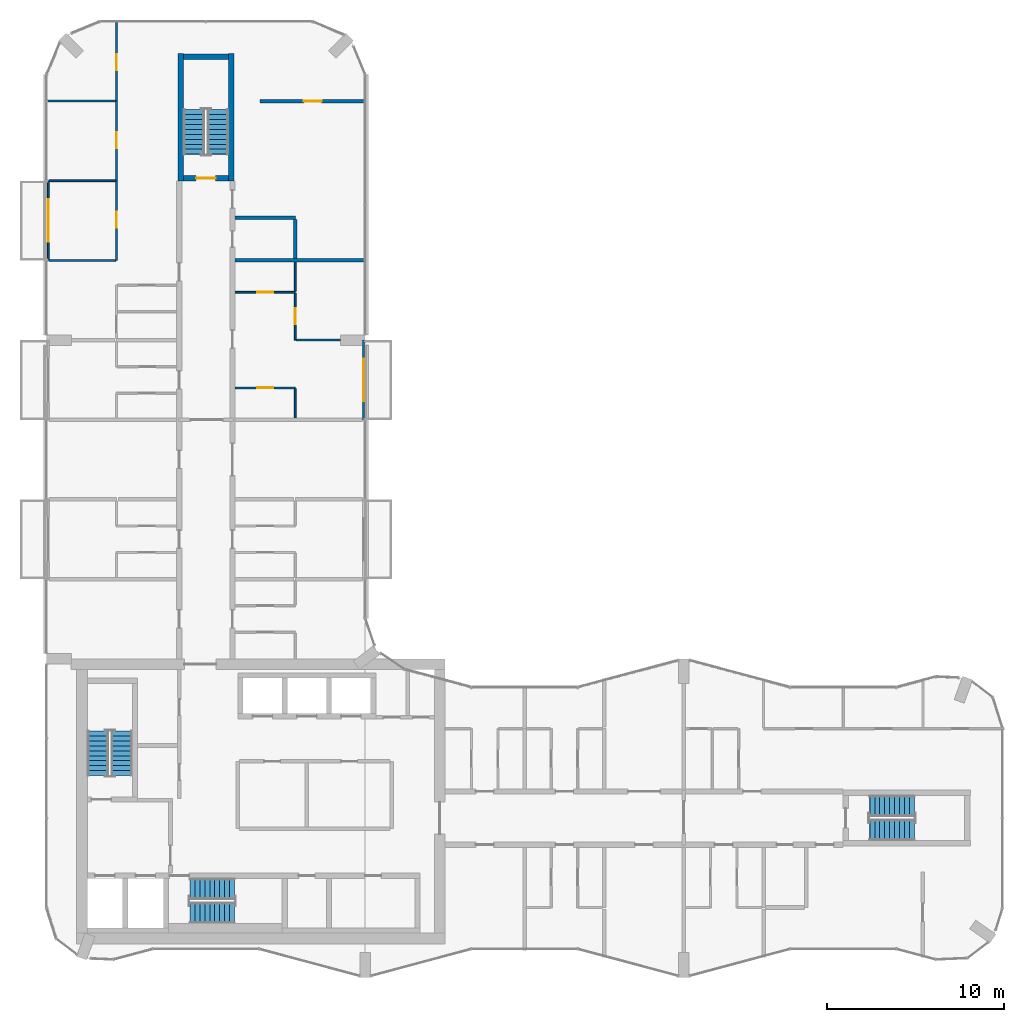
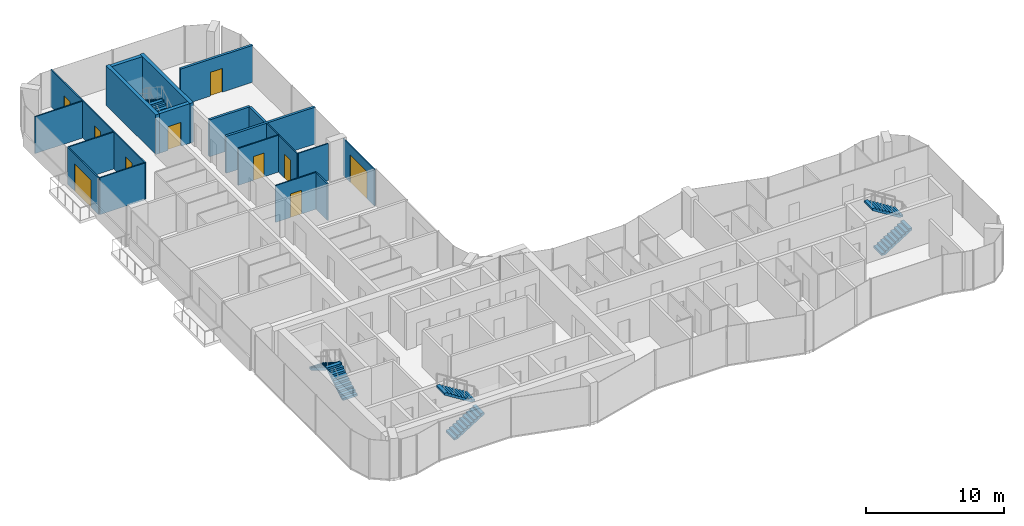
# One storey, part 13 of 16: 20 walls, 10 doors, 8 stair flights, 10 openings, 4 elements without a shape of their own.
"""IFC4 building model written with IfcOpenShell, lengths in metres."""

from ifc_helpers import new_model, si_unit, direction, frame, frame_2d, origin, place, context, subcontext, project, spatial, polyline, rectangle, outline, extrude, material, layer, layer_set, type_object, element, fill, aggregate, save


model = new_model("IFC4")

# Units and contexts
model_context = context("Model", 3, precision=1e-05, world=origin(), true_north=direction((0.0, 1.0)))
body_context = subcontext(model_context, "Body", "Model", "MODEL_VIEW")
ifc_project = project(units=[si_unit("LENGTHUNIT", "METRE"), si_unit("AREAUNIT", "SQUARE_METRE"), si_unit("VOLUMEUNIT", "CUBIC_METRE"), si_unit("PLANEANGLEUNIT", "RADIAN"), si_unit("MASSUNIT", "GRAM", prefix="KILO")], contexts=[model_context])

# Site, building, storey
site_placement = place(None, origin())
site = spatial("IfcSite", under=ifc_project, at=site_placement, CompositionType="ELEMENT")
building_placement = place(site_placement, origin())
building = spatial("IfcBuilding", under=site, at=building_placement, Name="Plateau Cross Towers", CompositionType="ELEMENT")
storey_placement = place(building_placement, frame((0.0, 0.0, 163.89990234375)))
storey = spatial("IfcBuildingStorey", under=building, at=storey_placement, Name="L42", CompositionType="ELEMENT", Elevation=163.89990234375)

# Wall, opening, door
ifc_material_1 = material(Name="Aluminium framed glazing", Category="aluminium")
ifc_layer_1 = layer(ifc_material_1, 0.10009765625)
ifc_layer_set_1 = layer_set([ifc_layer_1], Name="Aluminium framed glazing")
wall_type_1 = type_object("IfcWallType", Name="Balcony screen wall 100", PredefinedType="STANDARD", material=ifc_layer_set_1)
wall_1_placement = place(storey_placement, frame((0.10009765625, 40.5, 0.0), z_axis=(0.0, 0.0, 1.0), x_axis=(0.0, 1.0, 0.0)))
wall_1 = element("IfcWall", 1, at=wall_1_placement, inside=storey, type_object=wall_type_1, Name="Balcony screen wall A-BAL-L42-03", PredefinedType="STANDARD", context=body_context, shape_type="SweptSolid", body=[
    extrude(rectangle(XDim=4.5, YDim=0.10009765625, at=frame_2d((2.25, 0.0))), origin(), (0.0, 0.0, 1.0), 3.25),
])
opening_1_placement = place(wall_1_placement, frame((1.050048828125, 0.0, 0.0)))
opening_1 = element("IfcOpeningElement", 2, at=opening_1_placement, cuts=wall_1, Name="Opening D-B24", PredefinedType="OPENING", context=body_context, shape_type="SweptSolid", body=[
    extrude(rectangle(XDim=2.39990234375, YDim=2.39990234375, at=frame_2d((1.199951171875, 1.199951171875))), frame((0.0, 0.06005859375, 0.0), z_axis=(0.0, -1.0, 0.0), x_axis=(1.0, 0.0, 0.0)), (0.0, 0.0, 1.0), 0.1201171875),
])
ifc_material_2 = material(Name="Aluminium frame, double glazing", Category="aluminium")
door_type_1 = type_object("IfcDoorType", Name="Balcony sliding door 2400", OperationType="NOTDEFINED", PredefinedType="DOOR", material=ifc_material_2)
door_1_placement = place(opening_1_placement, origin())
door_1 = element("IfcDoor", 3, at=door_1_placement, inside=storey, type_object=door_type_1, Name="Balcony door A-BAL-L42-03", OperationType="SINGLE_SWING_LEFT", OverallHeight=2.39990234375, OverallWidth=2.39990234375, PredefinedType="DOOR", context=body_context, shape_type="SweptSolid", body=[
    extrude(rectangle(XDim=2.39990234375, YDim=2.39990234375, at=frame_2d((1.199951171875, 1.199951171875))), frame((0.0, 0.02490234375, 0.0), z_axis=(0.0, -1.0, 0.0), x_axis=(1.0, 0.0, 0.0)), (0.0, 0.0, 1.0), 0.050048828125),
])
fill(opening_1, door_1)

wall_2_placement = place(storey_placement, frame((17.89990234375, 36.0, 0.0), z_axis=(0.0, 0.0, 1.0), x_axis=(0.0, -1.0, 0.0)))
wall_2 = element("IfcWall", 4, at=wall_2_placement, inside=storey, type_object=wall_type_1, Name="Balcony screen wall A-BAL-L42-05", PredefinedType="STANDARD", context=body_context, shape_type="SweptSolid", body=[
    extrude(rectangle(XDim=4.5, YDim=0.10009765625, at=frame_2d((2.25, 0.0))), origin(), (0.0, 0.0, 1.0), 3.25),
])
opening_2_placement = place(wall_2_placement, frame((1.050048828125, 0.0, 0.0)))
opening_2 = element("IfcOpeningElement", 5, at=opening_2_placement, cuts=wall_2, Name="Opening D-B24", PredefinedType="OPENING", context=body_context, shape_type="SweptSolid", body=[
    extrude(rectangle(XDim=2.39990234375, YDim=2.39990234375, at=frame_2d((1.199951171875, 1.199951171875))), frame((0.0, 0.06005859375, 0.0), z_axis=(0.0, -1.0, 0.0), x_axis=(1.0, 0.0, 0.0)), (0.0, 0.0, 1.0), 0.1201171875),
])
door_2_placement = place(opening_2_placement, origin())
door_2 = element("IfcDoor", 6, at=door_2_placement, inside=storey, type_object=door_type_1, Name="Balcony door A-BAL-L42-05", OperationType="SINGLE_SWING_LEFT", OverallHeight=2.39990234375, OverallWidth=2.39990234375, PredefinedType="DOOR", context=body_context, shape_type="SweptSolid", body=[
    extrude(rectangle(XDim=2.39990234375, YDim=2.39990234375, at=frame_2d((1.199951171875, 1.199951171875))), frame((0.0, 0.02490234375, 0.0), z_axis=(0.0, -1.0, 0.0), x_axis=(1.0, 0.0, 0.0)), (0.0, 0.0, 1.0), 0.050048828125),
])
fill(opening_2, door_2)

ifc_material_3 = material(Name="Gypsum board on steel studs", Category="steel")
ifc_layer_2 = layer(ifc_material_3, 0.10009765625)
ifc_layer_set_2 = layer_set([ifc_layer_2], Name="Gypsum board on steel studs")
wall_type_2 = type_object("IfcWallType", Name="Flat partition 100", PredefinedType="PARTITIONING", material=ifc_layer_set_2)
wall_3_placement = place(storey_placement, frame((14.050048828125, 33.300048828125, 0.0), z_axis=(0.0, 0.0, 1.0), x_axis=(-1.0, 0.0, 0.0)))
wall_3 = element("IfcWall", 7, at=wall_3_placement, inside=storey, type_object=wall_type_2, Name="Partition wall", PredefinedType="PARTITIONING", context=body_context, shape_type="SweptSolid", body=[
    extrude(rectangle(XDim=3.400146484375, YDim=0.10009765625, at=frame_2d((1.7001953125, 0.0))), origin(), (0.0, 0.0, 1.0), 3.25),
])
opening_3_placement = place(wall_3_placement, frame((1.25, 0.0, 0.0)))
opening_3 = element("IfcOpeningElement", 8, at=opening_3_placement, cuts=wall_3, Name="Opening 42-52", PredefinedType="OPENING", context=body_context, shape_type="SweptSolid", body=[
    extrude(rectangle(XDim=0.89990234375, YDim=2.10009765625, at=frame_2d((0.449951171875, 1.050048828125))), frame((0.0, 0.06005859375, 0.0), z_axis=(0.0, -1.0, 0.0), x_axis=(1.0, 0.0, 0.0)), (0.0, 0.0, 1.0), 0.1201171875),
])
ifc_material_4 = material(Name="Timber leaf", Category="wood")
door_type_2 = type_object("IfcDoorType", Name="Flat room door 900", OperationType="NOTDEFINED", PredefinedType="DOOR", material=ifc_material_4)
door_3_placement = place(opening_3_placement, origin())
door_3 = element("IfcDoor", 9, at=door_3_placement, inside=storey, type_object=door_type_2, Name="Door 42-52", OperationType="SINGLE_SWING_LEFT", OverallHeight=2.10009765625, OverallWidth=0.89990234375, PredefinedType="DOOR", context=body_context, shape_type="SweptSolid", body=[
    extrude(rectangle(XDim=0.89990234375, YDim=2.10009765625, at=frame_2d((0.449951171875, 1.050048828125))), frame((0.0, 0.02490234375, 0.0), z_axis=(0.0, -1.0, 0.0), x_axis=(1.0, 0.0, 0.0)), (0.0, 0.0, 1.0), 0.050048828125),
])
fill(opening_3, door_3)

# Wall
wall_4_placement = place(storey_placement, frame((14.10009765625, 36.0, 0.0), z_axis=(0.0, 0.0, 1.0), x_axis=(1.0, 0.0, 0.0)))
element("IfcWall", 10, at=wall_4_placement, inside=storey, type_object=wall_type_2, Name="Partition wall", PredefinedType="PARTITIONING", context=body_context, shape_type="SweptSolid", body=[
    extrude(rectangle(XDim=2.5, YDim=0.10009765625, at=frame_2d((1.25, 0.0))), origin(), (0.0, 0.0, 1.0), 3.25),
])

# Wall, opening, door
wall_5_placement = place(storey_placement, frame((10.64990234375, 38.699951171875, 0.0), z_axis=(0.0, 0.0, 1.0), x_axis=(1.0, 0.0, 0.0)))
wall_5 = element("IfcWall", 11, at=wall_5_placement, inside=storey, type_object=wall_type_2, Name="Partition wall", PredefinedType="PARTITIONING", context=body_context, shape_type="SweptSolid", body=[
    extrude(rectangle(XDim=3.400146484375, YDim=0.10009765625, at=frame_2d((1.7001953125, 0.0))), origin(), (0.0, 0.0, 1.0), 3.25),
])
opening_4_placement = place(wall_5_placement, frame((1.25, 0.0, 0.0)))
opening_4 = element("IfcOpeningElement", 12, at=opening_4_placement, cuts=wall_5, Name="Opening 42-53", PredefinedType="OPENING", context=body_context, shape_type="SweptSolid", body=[
    extrude(rectangle(XDim=0.89990234375, YDim=2.10009765625, at=frame_2d((0.449951171875, 1.050048828125))), frame((0.0, 0.06005859375, 0.0), z_axis=(0.0, -1.0, 0.0), x_axis=(1.0, 0.0, 0.0)), (0.0, 0.0, 1.0), 0.1201171875),
])
door_4_placement = place(opening_4_placement, origin())
door_4 = element("IfcDoor", 13, at=door_4_placement, inside=storey, type_object=door_type_2, Name="Door 42-53", OperationType="SINGLE_SWING_LEFT", OverallHeight=2.10009765625, OverallWidth=0.89990234375, PredefinedType="DOOR", context=body_context, shape_type="SweptSolid", body=[
    extrude(rectangle(XDim=0.89990234375, YDim=2.10009765625, at=frame_2d((0.449951171875, 1.050048828125))), frame((0.0, 0.02490234375, 0.0), z_axis=(0.0, -1.0, 0.0), x_axis=(1.0, 0.0, 0.0)), (0.0, 0.0, 1.0), 0.050048828125),
])
fill(opening_4, door_4)

# Walls
for number, where, z_axis, x_axis, name in (
    (14, (0.14990234375, 40.5, 0.0), (0.0, 0.0, 1.0), (1.0, 0.0, 0.0), "Partition wall"),
    (15, (3.89990234375, 45.0, 0.0), (0.0, 0.0, 1.0), (-1.0, 0.0, 0.0), "Partition wall"),
):
    element("IfcWall", number, at=place(storey_placement, frame(where, z_axis=z_axis, x_axis=x_axis)), inside=storey, type_object=wall_type_2, Name=name, PredefinedType="PARTITIONING", context=body_context, shape_type="SweptSolid", body=[
        extrude(rectangle(XDim=3.75, YDim=0.10009765625, at=frame_2d((1.875, 0.0))), origin(), (0.0, 0.0, 1.0), 3.25),
    ])
wall_6_placement = place(storey_placement, frame((3.89990234375, 49.5, 0.0), z_axis=(0.0, 0.0, 1.0), x_axis=(-1.0, 0.0, 0.0)))
element("IfcWall", 16, at=wall_6_placement, inside=storey, type_object=wall_type_2, Name="Partition wall", PredefinedType="PARTITIONING", context=body_context, shape_type="SweptSolid", body=[
    extrude(rectangle(XDim=3.97998046875, YDim=0.10009765625, at=frame_2d((1.989990234375, 0.0))), origin(), (0.0, 0.0, 1.0), 3.25),
])

# Wall, openings, doors
wall_7_placement = place(storey_placement, frame((3.949951171875, 40.5, 0.0), z_axis=(0.0, 0.0, 1.0), x_axis=(0.0, 1.0, 0.0)))
wall_7 = element("IfcWall", 17, at=wall_7_placement, inside=storey, type_object=wall_type_2, Name="Partition wall", PredefinedType="PARTITIONING", context=body_context, shape_type="SweptSolid", body=[
    extrude(rectangle(XDim=13.580078125, YDim=0.10009765625, at=frame_2d((6.7900390625, 0.0))), origin(), (0.0, 0.0, 1.0), 3.25),
])
opening_5_placement = place(wall_7_placement, frame((1.85009765625, 0.0, 0.0)))
opening_5 = element("IfcOpeningElement", 18, at=opening_5_placement, cuts=wall_7, Name="Opening 42-45", PredefinedType="OPENING", context=body_context, shape_type="SweptSolid", body=[
    extrude(rectangle(XDim=0.89990234375, YDim=2.10009765625, at=frame_2d((0.449951171875, 1.050048828125))), frame((0.0, 0.06005859375, 0.0), z_axis=(0.0, -1.0, 0.0), x_axis=(1.0, 0.0, 0.0)), (0.0, 0.0, 1.0), 0.1201171875),
])
opening_6_placement = place(wall_7_placement, frame((6.35009765625, 0.0, 0.0)))
opening_6 = element("IfcOpeningElement", 19, at=opening_6_placement, cuts=wall_7, Name="Opening 42-46", PredefinedType="OPENING", context=body_context, shape_type="SweptSolid", body=[
    extrude(rectangle(XDim=0.89990234375, YDim=2.10009765625, at=frame_2d((0.449951171875, 1.050048828125))), frame((0.0, 0.06005859375, 0.0), z_axis=(0.0, -1.0, 0.0), x_axis=(1.0, 0.0, 0.0)), (0.0, 0.0, 1.0), 0.1201171875),
])
opening_7_placement = place(wall_7_placement, frame((10.75, 0.0, 0.0)))
opening_7 = element("IfcOpeningElement", 20, at=opening_7_placement, cuts=wall_7, Name="Opening 42-47", PredefinedType="OPENING", context=body_context, shape_type="SweptSolid", body=[
    extrude(rectangle(XDim=0.89990234375, YDim=2.10009765625, at=frame_2d((0.449951171875, 1.050048828125))), frame((0.0, 0.06005859375, 0.0), z_axis=(0.0, -1.0, 0.0), x_axis=(1.0, 0.0, 0.0)), (0.0, 0.0, 1.0), 0.1201171875),
])
door_5_placement = place(opening_5_placement, origin())
door_5 = element("IfcDoor", 21, at=door_5_placement, inside=storey, type_object=door_type_2, Name="Door 42-45", OperationType="SINGLE_SWING_LEFT", OverallHeight=2.10009765625, OverallWidth=0.89990234375, PredefinedType="DOOR", context=body_context, shape_type="SweptSolid", body=[
    extrude(rectangle(XDim=0.89990234375, YDim=2.10009765625, at=frame_2d((0.449951171875, 1.050048828125))), frame((0.0, 0.02490234375, 0.0), z_axis=(0.0, -1.0, 0.0), x_axis=(1.0, 0.0, 0.0)), (0.0, 0.0, 1.0), 0.050048828125),
])
fill(opening_5, door_5)
door_6_placement = place(opening_6_placement, origin())
door_6 = element("IfcDoor", 22, at=door_6_placement, inside=storey, type_object=door_type_2, Name="Door 42-46", OperationType="SINGLE_SWING_RIGHT", OverallHeight=2.10009765625, OverallWidth=0.89990234375, PredefinedType="DOOR", context=body_context, shape_type="SweptSolid", body=[
    extrude(rectangle(XDim=0.89990234375, YDim=2.10009765625, at=frame_2d((0.449951171875, 1.050048828125))), frame((0.0, 0.02490234375, 0.0), z_axis=(0.0, -1.0, 0.0), x_axis=(1.0, 0.0, 0.0)), (0.0, 0.0, 1.0), 0.050048828125),
])
fill(opening_6, door_6)
door_7_placement = place(opening_7_placement, origin())
door_7 = element("IfcDoor", 23, at=door_7_placement, inside=storey, type_object=door_type_2, Name="Door 42-47", OperationType="SINGLE_SWING_RIGHT", OverallHeight=2.10009765625, OverallWidth=0.89990234375, PredefinedType="DOOR", context=body_context, shape_type="SweptSolid", body=[
    extrude(rectangle(XDim=0.89990234375, YDim=2.10009765625, at=frame_2d((0.449951171875, 1.050048828125))), frame((0.0, 0.02490234375, 0.0), z_axis=(0.0, -1.0, 0.0), x_axis=(1.0, 0.0, 0.0)), (0.0, 0.0, 1.0), 0.050048828125),
])
fill(opening_7, door_7)

# Wall, opening, door
wall_8_placement = place(storey_placement, frame((14.050048828125, 38.64990234375, 0.0), z_axis=(0.0, 0.0, 1.0), x_axis=(0.0, -1.0, 0.0)))
wall_8 = element("IfcWall", 24, at=wall_8_placement, inside=storey, type_object=wall_type_2, Name="Partition wall", PredefinedType="PARTITIONING", context=body_context, shape_type="SweptSolid", body=[
    extrude(rectangle(XDim=2.64990234375, YDim=0.10009765625, at=frame_2d((1.324951171875, 0.0))), origin(), (0.0, 0.0, 1.0), 3.25),
])
opening_8_placement = place(wall_8_placement, frame((0.85009765625, 0.0, 0.0)))
opening_8 = element("IfcOpeningElement", 25, at=opening_8_placement, cuts=wall_8, Name="Opening 42-54", PredefinedType="OPENING", context=body_context, shape_type="SweptSolid", body=[
    extrude(rectangle(XDim=0.89990234375, YDim=2.10009765625, at=frame_2d((0.449951171875, 1.050048828125))), frame((0.0, 0.06005859375, 0.0), z_axis=(0.0, -1.0, 0.0), x_axis=(1.0, 0.0, 0.0)), (0.0, 0.0, 1.0), 0.1201171875),
])
door_8_placement = place(opening_8_placement, origin())
door_8 = element("IfcDoor", 26, at=door_8_placement, inside=storey, type_object=door_type_2, Name="Door 42-54", OperationType="SINGLE_SWING_LEFT", OverallHeight=2.10009765625, OverallWidth=0.89990234375, PredefinedType="DOOR", context=body_context, shape_type="SweptSolid", body=[
    extrude(rectangle(XDim=0.89990234375, YDim=2.10009765625, at=frame_2d((0.449951171875, 1.050048828125))), frame((0.0, 0.02490234375, 0.0), z_axis=(0.0, -1.0, 0.0), x_axis=(1.0, 0.0, 0.0)), (0.0, 0.0, 1.0), 0.050048828125),
])
fill(opening_8, door_8)

# Walls
for number, where, z_axis, x_axis, name in (
    (27, (14.050048828125, 31.60009765625, 0.0), (0.0, 0.0, 1.0), (0.0, 1.0, 0.0), "Partition wall"),
    (28, (14.050048828125, 38.75, 0.0), (0.0, 0.0, 1.0), (0.0, 1.0, 0.0), "Partition wall"),
):
    element("IfcWall", number, at=place(storey_placement, frame(where, z_axis=z_axis, x_axis=x_axis)), inside=storey, type_object=wall_type_2, Name=name, PredefinedType="PARTITIONING", context=body_context, shape_type="SweptSolid", body=[
        extrude(rectangle(XDim=1.64990234375, YDim=0.10009765625, at=frame_2d((0.824951171875, 0.0))), origin(), (0.0, 0.0, 1.0), 3.25),
    ])
ifc_material_5 = material(Name="Gypsum board on steel studs, two layers each side", Category="steel")
ifc_layer_3 = layer(ifc_material_5, 0.199951171875)
ifc_layer_set_3 = layer_set([ifc_layer_3], Name="Gypsum board on steel studs, two layers each side")
wall_type_3 = type_object("IfcWallType", Name="Flat party wall 200", PredefinedType="PARTITIONING", material=ifc_layer_set_3)
wall_9_placement = place(storey_placement, frame((18.080078125, 40.5, 0.0), z_axis=(0.0, 0.0, 1.0), x_axis=(-1.0, 0.0, 0.0)))
element("IfcWall", 29, at=wall_9_placement, inside=storey, type_object=wall_type_3, Name="Party wall", PredefinedType="PARTITIONING", context=body_context, shape_type="SweptSolid", body=[
    extrude(rectangle(XDim=7.43017578125, YDim=0.199951171875, at=frame_2d((3.715087890625, 0.0))), origin(), (0.0, 0.0, 1.0), 3.25),
])
wall_10_placement = place(storey_placement, frame((14.050048828125, 42.89990234375, 0.0), z_axis=(0.0, 0.0, 1.0), x_axis=(-1.0, 0.0, 0.0)))
element("IfcWall", 30, at=wall_10_placement, inside=storey, type_object=wall_type_3, Name="Party wall", PredefinedType="PARTITIONING", context=body_context, shape_type="SweptSolid", body=[
    extrude(rectangle(XDim=3.400146484375, YDim=0.199951171875, at=frame_2d((1.7001953125, 0.0))), origin(), (0.0, 0.0, 1.0), 3.25),
])

# Wall, opening, door
wall_11_placement = place(storey_placement, frame((18.080078125, 49.5, 0.0), z_axis=(0.0, 0.0, 1.0), x_axis=(-1.0, 0.0, 0.0)))
wall_11 = element("IfcWall", 31, at=wall_11_placement, inside=storey, type_object=wall_type_3, Name="Party wall", PredefinedType="PARTITIONING", context=body_context, shape_type="SweptSolid", body=[
    extrude(rectangle(XDim=6.030029296875, YDim=0.199951171875, at=frame_2d((3.01513671875, 0.0))), origin(), (0.0, 0.0, 1.0), 3.25),
])
opening_9_placement = place(wall_11_placement, frame((2.550048828125, 0.0, 0.0)))
opening_9 = element("IfcOpeningElement", 32, at=opening_9_placement, cuts=wall_11, Name="Opening 42-25", PredefinedType="OPENING", context=body_context, shape_type="SweptSolid", body=[
    extrude(rectangle(XDim=1.0, YDim=2.10009765625, at=frame_2d((0.5, 1.050048828125))), frame((0.0, 0.10986328125, 0.0), z_axis=(0.0, -1.0, 0.0), x_axis=(1.0, 0.0, 0.0)), (0.0, 0.0, 1.0), 0.219970703125),
])
ifc_material_6 = material(Name="Timber, fire-resisting leaf", Category="wood")
door_type_3 = type_object("IfcDoorType", Name="Flat entrance door 1000", OperationType="NOTDEFINED", PredefinedType="DOOR", material=ifc_material_6)
door_9_placement = place(opening_9_placement, origin())
door_9 = element("IfcDoor", 33, at=door_9_placement, inside=storey, type_object=door_type_3, Name="Door 42-25", OperationType="SINGLE_SWING_RIGHT", OverallHeight=2.10009765625, OverallWidth=1.0, PredefinedType="DOOR", context=body_context, shape_type="SweptSolid", body=[
    extrude(rectangle(XDim=1.0, YDim=2.10009765625, at=frame_2d((0.5, 1.050048828125))), frame((0.0, 0.02490234375, 0.0), z_axis=(0.0, -1.0, 0.0), x_axis=(1.0, 0.0, 0.0)), (0.0, 0.0, 1.0), 0.050048828125),
])
fill(opening_9, door_9)

# Wall
wall_12_placement = place(storey_placement, frame((14.050048828125, 40.60009765625, 0.0), z_axis=(0.0, 0.0, 1.0), x_axis=(0.0, 1.0, 0.0)))
element("IfcWall", 34, at=wall_12_placement, inside=storey, type_object=wall_type_3, Name="Party wall", PredefinedType="PARTITIONING", context=body_context, shape_type="SweptSolid", body=[
    extrude(rectangle(XDim=2.199951171875, YDim=0.199951171875, at=frame_2d((1.10009765625, 0.0))), origin(), (0.0, 0.0, 1.0), 3.25),
])

# Wall, opening, door
ifc_material_7 = material(Name="Concrete C60/75", Category="concrete")
ifc_layer_4 = layer(ifc_material_7, 0.300048828125)
ifc_layer_set_4 = layer_set([ifc_layer_4], Name="Concrete C60/75")
wall_type_4 = type_object("IfcWallType", Name="Stair tower wall 300", PredefinedType="SHEAR", material=ifc_layer_set_4)
wall_13_placement = place(storey_placement, frame((7.72509765625, 45.14990234375, 0.0), z_axis=(0.0, 0.0, 1.0), x_axis=(1.0, 0.0, 0.0)))
wall_13 = element("IfcWall", 35, at=wall_13_placement, inside=storey, type_object=wall_type_4, Name="A-end-N-S@L42", PredefinedType="SHEAR", context=body_context, shape_type="SweptSolid", body=[
    extrude(rectangle(XDim=2.5498046875, YDim=0.300048828125, at=frame_2d((1.27490234375, 0.0))), origin(), (0.0, 0.0, 1.0), 3.5),
])
opening_10_placement = place(wall_13_placement, frame((0.72509765625, 0.0, 0.0)))
opening_10 = element("IfcOpeningElement", 36, at=opening_10_placement, cuts=wall_13, Name="Opening SD", PredefinedType="OPENING", context=body_context, shape_type="SweptSolid", body=[
    extrude(rectangle(XDim=1.10009765625, YDim=2.10009765625, at=frame_2d((0.550048828125, 1.050048828125))), frame((0.0, 0.159912109375, 0.0), z_axis=(0.0, -1.0, 0.0), x_axis=(1.0, 0.0, 0.0)), (0.0, 0.0, 1.0), 0.320068359375),
])
ifc_material_8 = material(Name="Steel, fire-resisting leaf", Category="steel")
door_type_4 = type_object("IfcDoorType", Name="Stair door 1100", OperationType="NOTDEFINED", PredefinedType="DOOR", material=ifc_material_8)
door_10_placement = place(opening_10_placement, origin())
door_10 = element("IfcDoor", 37, at=door_10_placement, inside=storey, type_object=door_type_4, Name="Stair door SD", OperationType="SINGLE_SWING_LEFT", OverallHeight=2.10009765625, OverallWidth=1.10009765625, PredefinedType="DOOR", context=body_context, shape_type="SweptSolid", body=[
    extrude(rectangle(XDim=1.10009765625, YDim=2.10009765625, at=frame_2d((0.550048828125, 1.050048828125))), frame((0.0, 0.02490234375, 0.0), z_axis=(0.0, -1.0, 0.0), x_axis=(1.0, 0.0, 0.0)), (0.0, 0.0, 1.0), 0.050048828125),
])
fill(opening_10, door_10)

# Walls
wall_14_placement = place(storey_placement, frame((7.72509765625, 52.0, 0.0), z_axis=(0.0, 0.0, 1.0), x_axis=(1.0, 0.0, 0.0)))
element("IfcWall", 38, at=wall_14_placement, inside=storey, type_object=wall_type_4, Name="A-end-N-N@L42", PredefinedType="SHEAR", context=body_context, shape_type="SweptSolid", body=[
    extrude(rectangle(XDim=2.5498046875, YDim=0.300048828125, at=frame_2d((1.27490234375, 0.0))), origin(), (0.0, 0.0, 1.0), 3.5),
])
for number, where, z_axis, x_axis, name in (
    (39, (7.574951171875, 45.0, 0.0), (0.0, 0.0, 1.0), (0.0, 1.0, 0.0), "A-end-N-W@L42"),
    (40, (10.425048828125, 45.0, 0.0), (0.0, 0.0, 1.0), (0.0, 1.0, 0.0), "A-end-N-E@L42"),
):
    element("IfcWall", number, at=place(storey_placement, frame(where, z_axis=z_axis, x_axis=x_axis)), inside=storey, type_object=wall_type_4, Name=name, PredefinedType="SHEAR", context=body_context, shape_type="SweptSolid", body=[
        extrude(rectangle(XDim=7.199951171875, YDim=0.300048828125, at=frame_2d((3.60009765625, 0.0))), origin(), (0.0, 0.0, 1.0), 3.5),
    ])

# Stair, stair flights
ifc_material_9 = material(Name="Concrete C40/50", Category="concrete")
stair_type = type_object("IfcStairType", Name="ST-TWR", PredefinedType="HALF_TURN_STAIR", material=ifc_material_9)
stair_1_placement = place(storey_placement, origin())
stair_1 = element("IfcStair", 41, at=stair_1_placement, inside=storey, type_object=stair_type, Name="L42 Protected Exit Stair ST-1", PredefinedType="HALF_TURN_STAIR")
stair_flight_type = type_object("IfcStairFlightType", Name="SFL-RC", PredefinedType="STRAIGHT", material=ifc_material_9)
stair_flight_1_placement = place(storey_placement, frame((4.25, 11.39990234375, 0.0), z_axis=(0.0, 0.0, 1.0), x_axis=(0.0, 1.0, 0.0)))
stair_flight_1 = element("IfcStairFlight", 42, at=stair_flight_1_placement, type_object=stair_flight_type, Name="ST-1 flight 1", NumberOfRisers=10, NumberOfTreads=9, PredefinedType="STRAIGHT", RiserHeight=0.175, TreadLength=0.28, context=body_context, shape_type="SweptSolid", body=[
    extrude(outline(polyline([(-0.0048828125, -0.010009765625), (-0.0048828125, 0.0), (0.0, 0.0), (0.0, 0.175048828125), (0.280029296875, 0.175048828125), (0.280029296875, 0.35009765625), (0.56005859375, 0.35009765625), (0.56005859375, 0.52490234375), (0.840087890625, 0.52490234375), (0.840087890625, 0.699951171875), (1.1201171875, 0.699951171875), (1.1201171875, 0.875), (1.39990234375, 0.875), (1.39990234375, 1.050048828125), (1.679931640625, 1.050048828125), (1.679931640625, 1.22509765625), (1.9599609375, 1.22509765625), (1.9599609375, 1.39990234375), (2.239990234375, 1.39990234375), (2.239990234375, 1.574951171875), (2.52001953125, 1.574951171875), (2.52490234375, 1.56494140625), (2.52490234375, 1.398193359375), (2.52001953125, 1.398193359375), (0.28271484375, 0.0), (0.02001953125, 0.0), (0.02001953125, -0.010009765625), (-0.0048828125, -0.010009765625)])), frame((0.0, 0.60009765625, 0.0), z_axis=(0.0, -1.0, 0.0), x_axis=(1.0, 0.0, 0.0)), (0.0, 0.0, 1.0), 1.199951171875),
])
stair_flight_2_placement = place(storey_placement, frame((2.89990234375, 13.919921875, 1.75), z_axis=(0.0, 0.0, 1.0), x_axis=(0.0, -1.0, 0.0)))
stair_flight_2 = element("IfcStairFlight", 43, at=stair_flight_2_placement, type_object=stair_flight_type, Name="ST-1 flight 2", NumberOfRisers=10, NumberOfTreads=9, PredefinedType="STRAIGHT", RiserHeight=0.175, TreadLength=0.28, context=body_context, shape_type="SweptSolid", body=[
    extrude(outline(polyline([(-0.0048828125, -0.010009765625), (-0.0048828125, 0.0), (0.0, 0.0), (0.0, 0.175048828125), (0.280029296875, 0.175048828125), (0.280029296875, 0.35009765625), (0.56005859375, 0.35009765625), (0.56005859375, 0.52490234375), (0.840087890625, 0.52490234375), (0.840087890625, 0.699951171875), (1.1201171875, 0.699951171875), (1.1201171875, 0.875), (1.39990234375, 0.875), (1.39990234375, 1.050048828125), (1.679931640625, 1.050048828125), (1.679931640625, 1.22509765625), (1.9599609375, 1.22509765625), (1.9599609375, 1.39990234375), (2.239990234375, 1.39990234375), (2.239990234375, 1.574951171875), (2.52001953125, 1.574951171875), (2.52490234375, 1.56494140625), (2.52490234375, 1.398193359375), (2.52001953125, 1.398193359375), (0.28271484375, 0.0), (0.02001953125, 0.0), (0.02001953125, -0.010009765625), (-0.0048828125, -0.010009765625)])), frame((0.0, 0.60009765625, 0.0), z_axis=(0.0, -1.0, 0.0), x_axis=(1.0, 0.0, 0.0)), (0.0, 0.0, 1.0), 1.199951171875),
])
aggregate(stair_1, [stair_flight_1, stair_flight_2])

stair_2_placement = place(storey_placement, origin())
stair_2 = element("IfcStair", 44, at=stair_2_placement, inside=storey, type_object=stair_type, Name="L42 Protected Exit Stair ST-2", PredefinedType="HALF_TURN_STAIR")
stair_flight_3_placement = place(storey_placement, frame((8.10009765625, 3.64990234375, 0.0), z_axis=(0.0, 0.0, 1.0), x_axis=(1.0, 0.0, 0.0)))
stair_flight_3 = element("IfcStairFlight", 45, at=stair_flight_3_placement, type_object=stair_flight_type, Name="ST-2 flight 1", NumberOfRisers=10, NumberOfTreads=9, PredefinedType="STRAIGHT", RiserHeight=0.175, TreadLength=0.28, context=body_context, shape_type="SweptSolid", body=[
    extrude(outline(polyline([(-0.0048828125, -0.010009765625), (-0.0048828125, 0.0), (0.0, 0.0), (0.0, 0.175048828125), (0.280029296875, 0.175048828125), (0.280029296875, 0.35009765625), (0.56005859375, 0.35009765625), (0.56005859375, 0.52490234375), (0.840087890625, 0.52490234375), (0.840087890625, 0.699951171875), (1.1201171875, 0.699951171875), (1.1201171875, 0.875), (1.39990234375, 0.875), (1.39990234375, 1.050048828125), (1.679931640625, 1.050048828125), (1.679931640625, 1.22509765625), (1.9599609375, 1.22509765625), (1.9599609375, 1.39990234375), (2.239990234375, 1.39990234375), (2.239990234375, 1.574951171875), (2.52001953125, 1.574951171875), (2.52490234375, 1.56494140625), (2.52490234375, 1.398193359375), (2.52001953125, 1.398193359375), (0.28271484375, 0.0), (0.02001953125, 0.0), (0.02001953125, -0.010009765625), (-0.0048828125, -0.010009765625)])), frame((0.0, 0.60009765625, 0.0), z_axis=(0.0, -1.0, 0.0), x_axis=(1.0, 0.0, 0.0)), (0.0, 0.0, 1.0), 1.199951171875),
])
stair_flight_4_placement = place(storey_placement, frame((10.6201171875, 5.0, 1.75), z_axis=(0.0, 0.0, 1.0), x_axis=(-1.0, 0.0, 0.0)))
stair_flight_4 = element("IfcStairFlight", 46, at=stair_flight_4_placement, type_object=stair_flight_type, Name="ST-2 flight 2", NumberOfRisers=10, NumberOfTreads=9, PredefinedType="STRAIGHT", RiserHeight=0.175, TreadLength=0.28, context=body_context, shape_type="SweptSolid", body=[
    extrude(outline(polyline([(-0.0048828125, -0.010009765625), (-0.0048828125, 0.0), (0.0, 0.0), (0.0, 0.175048828125), (0.280029296875, 0.175048828125), (0.280029296875, 0.35009765625), (0.56005859375, 0.35009765625), (0.56005859375, 0.52490234375), (0.840087890625, 0.52490234375), (0.840087890625, 0.699951171875), (1.1201171875, 0.699951171875), (1.1201171875, 0.875), (1.39990234375, 0.875), (1.39990234375, 1.050048828125), (1.679931640625, 1.050048828125), (1.679931640625, 1.22509765625), (1.9599609375, 1.22509765625), (1.9599609375, 1.39990234375), (2.239990234375, 1.39990234375), (2.239990234375, 1.574951171875), (2.52001953125, 1.574951171875), (2.52490234375, 1.56494140625), (2.52490234375, 1.398193359375), (2.52001953125, 1.398193359375), (0.28271484375, 0.0), (0.02001953125, 0.0), (0.02001953125, -0.010009765625), (-0.0048828125, -0.010009765625)])), frame((0.0, 0.60009765625, 0.0), z_axis=(0.0, -1.0, 0.0), x_axis=(1.0, 0.0, 0.0)), (0.0, 0.0, 1.0), 1.199951171875),
])
aggregate(stair_2, [stair_flight_3, stair_flight_4])

stair_3_placement = place(storey_placement, origin())
stair_3 = element("IfcStair", 47, at=stair_3_placement, inside=storey, type_object=stair_type, Name="L42 Protected Exit Stair E", PredefinedType="HALF_TURN_STAIR")
stair_flight_5_placement = place(storey_placement, frame((46.5, 8.324951171875, 0.0), z_axis=(0.0, 0.0, 1.0), x_axis=(1.0, 0.0, 0.0)))
stair_flight_5 = element("IfcStairFlight", 48, at=stair_flight_5_placement, type_object=stair_flight_type, Name="ES-E flight 1", NumberOfRisers=10, NumberOfTreads=9, PredefinedType="STRAIGHT", RiserHeight=0.175, TreadLength=0.28, context=body_context, shape_type="SweptSolid", body=[
    extrude(outline(polyline([(-0.0048828125, -0.010009765625), (-0.0048828125, 0.0), (0.0, 0.0), (0.0, 0.175048828125), (0.280029296875, 0.175048828125), (0.280029296875, 0.35009765625), (0.56005859375, 0.35009765625), (0.56005859375, 0.52490234375), (0.840087890625, 0.52490234375), (0.840087890625, 0.699951171875), (1.1201171875, 0.699951171875), (1.1201171875, 0.875), (1.39990234375, 0.875), (1.39990234375, 1.050048828125), (1.679931640625, 1.050048828125), (1.679931640625, 1.22509765625), (1.9599609375, 1.22509765625), (1.9599609375, 1.39990234375), (2.239990234375, 1.39990234375), (2.239990234375, 1.574951171875), (2.52001953125, 1.574951171875), (2.52490234375, 1.56494140625), (2.52490234375, 1.398193359375), (2.52001953125, 1.398193359375), (0.28271484375, 0.0), (0.02001953125, 0.0), (0.02001953125, -0.010009765625), (-0.0048828125, -0.010009765625)])), frame((0.0, 0.60009765625, 0.0), z_axis=(0.0, -1.0, 0.0), x_axis=(1.0, 0.0, 0.0)), (0.0, 0.0, 1.0), 1.199951171875),
])
stair_flight_6_placement = place(storey_placement, frame((49.02001953125, 9.675048828125, 1.75), z_axis=(0.0, 0.0, 1.0), x_axis=(-1.0, 0.0, 0.0)))
stair_flight_6 = element("IfcStairFlight", 49, at=stair_flight_6_placement, type_object=stair_flight_type, Name="ES-E flight 2", NumberOfRisers=10, NumberOfTreads=9, PredefinedType="STRAIGHT", RiserHeight=0.175, TreadLength=0.28, context=body_context, shape_type="SweptSolid", body=[
    extrude(outline(polyline([(-0.0048828125, -0.010009765625), (-0.0048828125, 0.0), (0.0, 0.0), (0.0, 0.175048828125), (0.280029296875, 0.175048828125), (0.280029296875, 0.35009765625), (0.56005859375, 0.35009765625), (0.56005859375, 0.52490234375), (0.840087890625, 0.52490234375), (0.840087890625, 0.699951171875), (1.1201171875, 0.699951171875), (1.1201171875, 0.875), (1.39990234375, 0.875), (1.39990234375, 1.050048828125), (1.679931640625, 1.050048828125), (1.679931640625, 1.22509765625), (1.9599609375, 1.22509765625), (1.9599609375, 1.39990234375), (2.239990234375, 1.39990234375), (2.239990234375, 1.574951171875), (2.52001953125, 1.574951171875), (2.52490234375, 1.56494140625), (2.52490234375, 1.398193359375), (2.52001953125, 1.398193359375), (0.28271484375, 0.0), (0.02001953125, 0.0), (0.02001953125, -0.010009765625), (-0.0048828125, -0.010009765625)])), frame((0.0, 0.60009765625, 0.0), z_axis=(0.0, -1.0, 0.0), x_axis=(1.0, 0.0, 0.0)), (0.0, 0.0, 1.0), 1.199951171875),
])
aggregate(stair_3, [stair_flight_5, stair_flight_6])

stair_4_placement = place(storey_placement, origin())
stair_4 = element("IfcStair", 50, at=stair_4_placement, inside=storey, type_object=stair_type, Name="L42 Protected Exit Stair N", PredefinedType="HALF_TURN_STAIR")
stair_flight_7_placement = place(storey_placement, frame((9.675048828125, 46.5, 0.0), z_axis=(0.0, 0.0, 1.0), x_axis=(0.0, 1.0, 0.0)))
stair_flight_7 = element("IfcStairFlight", 51, at=stair_flight_7_placement, type_object=stair_flight_type, Name="ES-N flight 1", NumberOfRisers=10, NumberOfTreads=9, PredefinedType="STRAIGHT", RiserHeight=0.175, TreadLength=0.28, context=body_context, shape_type="SweptSolid", body=[
    extrude(outline(polyline([(-0.0048828125, -0.010009765625), (-0.0048828125, 0.0), (0.0, 0.0), (0.0, 0.175048828125), (0.280029296875, 0.175048828125), (0.280029296875, 0.35009765625), (0.56005859375, 0.35009765625), (0.56005859375, 0.52490234375), (0.840087890625, 0.52490234375), (0.840087890625, 0.699951171875), (1.1201171875, 0.699951171875), (1.1201171875, 0.875), (1.39990234375, 0.875), (1.39990234375, 1.050048828125), (1.679931640625, 1.050048828125), (1.679931640625, 1.22509765625), (1.9599609375, 1.22509765625), (1.9599609375, 1.39990234375), (2.239990234375, 1.39990234375), (2.239990234375, 1.574951171875), (2.52001953125, 1.574951171875), (2.52490234375, 1.56494140625), (2.52490234375, 1.398193359375), (2.52001953125, 1.398193359375), (0.28271484375, 0.0), (0.02001953125, 0.0), (0.02001953125, -0.010009765625), (-0.0048828125, -0.010009765625)])), frame((0.0, 0.60009765625, 0.0), z_axis=(0.0, -1.0, 0.0), x_axis=(1.0, 0.0, 0.0)), (0.0, 0.0, 1.0), 1.199951171875),
])
stair_flight_8_placement = place(storey_placement, frame((8.324951171875, 49.02001953125, 1.75), z_axis=(0.0, 0.0, 1.0), x_axis=(0.0, -1.0, 0.0)))
stair_flight_8 = element("IfcStairFlight", 52, at=stair_flight_8_placement, type_object=stair_flight_type, Name="ES-N flight 2", NumberOfRisers=10, NumberOfTreads=9, PredefinedType="STRAIGHT", RiserHeight=0.175, TreadLength=0.28, context=body_context, shape_type="SweptSolid", body=[
    extrude(outline(polyline([(-0.0048828125, -0.010009765625), (-0.0048828125, 0.0), (0.0, 0.0), (0.0, 0.175048828125), (0.280029296875, 0.175048828125), (0.280029296875, 0.35009765625), (0.56005859375, 0.35009765625), (0.56005859375, 0.52490234375), (0.840087890625, 0.52490234375), (0.840087890625, 0.699951171875), (1.1201171875, 0.699951171875), (1.1201171875, 0.875), (1.39990234375, 0.875), (1.39990234375, 1.050048828125), (1.679931640625, 1.050048828125), (1.679931640625, 1.22509765625), (1.9599609375, 1.22509765625), (1.9599609375, 1.39990234375), (2.239990234375, 1.39990234375), (2.239990234375, 1.574951171875), (2.52001953125, 1.574951171875), (2.52490234375, 1.56494140625), (2.52490234375, 1.398193359375), (2.52001953125, 1.398193359375), (0.28271484375, 0.0), (0.02001953125, 0.0), (0.02001953125, -0.010009765625), (-0.0048828125, -0.010009765625)])), frame((0.0, 0.60009765625, 0.0), z_axis=(0.0, -1.0, 0.0), x_axis=(1.0, 0.0, 0.0)), (0.0, 0.0, 1.0), 1.199951171875),
])
aggregate(stair_4, [stair_flight_7, stair_flight_8])

save(model, "model.ifc")
